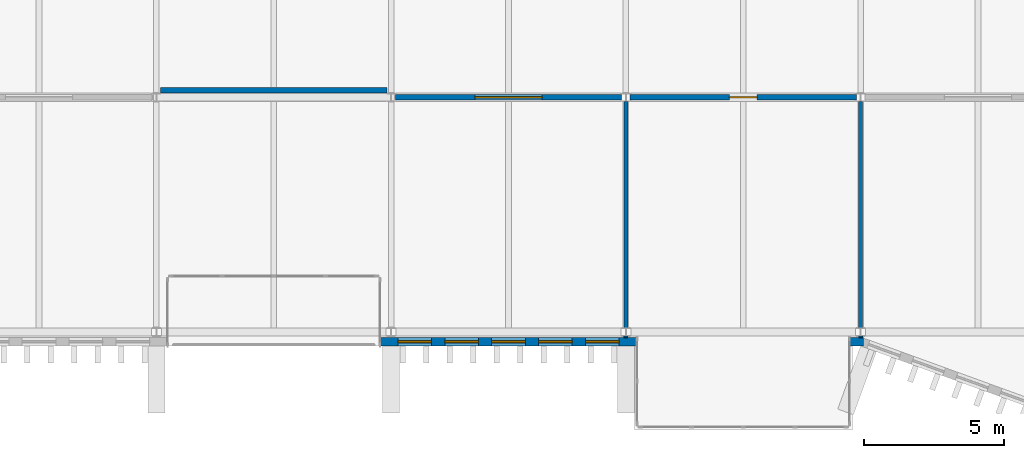
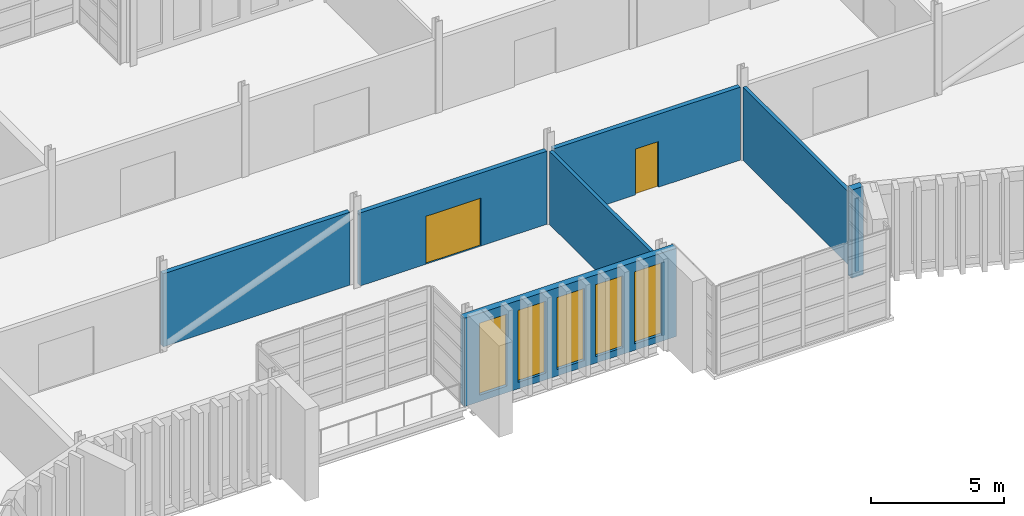
# One storey, part 63 of 100: 9 walls, 5 windows, 2 doors, 7 openings.
"""IFC4 building model written with IfcOpenShell, lengths in metres."""

from ifc_helpers import new_model, si_unit, direction, frame, frame_2d, origin, place, context, subcontext, project, spatial, rectangle, extrude, material, layer, layer_set, type_object, element, fill, save


model = new_model("IFC4")

# Units and contexts
model_context = context("Model", 3, precision=1e-05, world=origin(), true_north=direction((0.0, 1.0)))
body_context = subcontext(model_context, "Body", "Model", "MODEL_VIEW")
ifc_project = project(units=[si_unit("LENGTHUNIT", "METRE"), si_unit("AREAUNIT", "SQUARE_METRE"), si_unit("VOLUMEUNIT", "CUBIC_METRE"), si_unit("PLANEANGLEUNIT", "RADIAN"), si_unit("MASSUNIT", "GRAM", prefix="KILO")], contexts=[model_context])

# Site, building, storey
site_placement = place(None, origin())
site = spatial("IfcSite", under=ifc_project, at=site_placement, CompositionType="ELEMENT")
building_placement = place(site_placement, origin())
building = spatial("IfcBuilding", under=site, at=building_placement, Name="Cresset Court Congress Hotel", CompositionType="ELEMENT")
storey_placement = place(building_placement, frame((0.0, 0.0, 10.199951171875)))
storey = spatial("IfcBuildingStorey", under=building, at=storey_placement, Name="L02", CompositionType="ELEMENT", Elevation=10.199951171875)

# Wall, openings, windows
ifc_material_1 = material(Name="Concrete C40", Category="concrete")
ifc_layer_1 = layer(ifc_material_1, 0.300048828125)
ifc_layer_set_1 = layer_set([ifc_layer_1], Name="External wall 300 Concrete C40")
wall_type_1 = type_object("IfcWallType", Name="External wall 300 Concrete C40", PredefinedType="SOLIDWALL", material=ifc_layer_set_1)
wall_1_placement = place(storey_placement, frame((83.60009765625, -0.35009765625, 0.0), z_axis=(0.0, 0.0, 1.0), x_axis=(1.0, 0.0, 0.0)))
wall_1 = element("IfcWall", 1, at=wall_1_placement, inside=storey, type_object=wall_type_1, Name="External wall", PredefinedType="SOLIDWALL", context=body_context, shape_type="SweptSolid", body=[
    extrude(rectangle(XDim=9.199951171875, YDim=0.300048828125, at=frame_2d((4.60009765625, 0.0))), origin(), (0.0, 0.0, 1.0), 4.050048828125),
])
opening_1_placement = place(wall_1_placement, frame((0.639892578125, 0.0, 0.300048828125)))
opening_1 = element("IfcOpeningElement", 2, at=opening_1_placement, cuts=wall_1, Name="Opening NB-02-06", PredefinedType="OPENING", context=body_context, shape_type="SweptSolid", body=[
    extrude(rectangle(XDim=1.199951171875, YDim=3.300048828125, at=frame_2d((0.60009765625, 1.64990234375))), frame((0.0, 0.159912109375, 0.0), z_axis=(0.0, -1.0, 0.0), x_axis=(1.0, 0.0, 0.0)), (0.0, 0.0, 1.0), 0.320068359375),
])
opening_2_placement = place(wall_1_placement, frame((2.320068359375, 0.0, 0.300048828125)))
opening_2 = element("IfcOpeningElement", 3, at=opening_2_placement, cuts=wall_1, Name="Opening NB-02-07", PredefinedType="OPENING", context=body_context, shape_type="SweptSolid", body=[
    extrude(rectangle(XDim=1.199951171875, YDim=3.300048828125, at=frame_2d((0.60009765625, 1.64990234375))), frame((0.0, 0.159912109375, 0.0), z_axis=(0.0, -1.0, 0.0), x_axis=(1.0, 0.0, 0.0)), (0.0, 0.0, 1.0), 0.320068359375),
])
opening_3_placement = place(wall_1_placement, frame((4.0, 0.0, 0.300048828125)))
opening_3 = element("IfcOpeningElement", 4, at=opening_3_placement, cuts=wall_1, Name="Opening NB-02-08", PredefinedType="OPENING", context=body_context, shape_type="SweptSolid", body=[
    extrude(rectangle(XDim=1.199951171875, YDim=3.300048828125, at=frame_2d((0.60009765625, 1.64990234375))), frame((0.0, 0.159912109375, 0.0), z_axis=(0.0, -1.0, 0.0), x_axis=(1.0, 0.0, 0.0)), (0.0, 0.0, 1.0), 0.320068359375),
])
opening_4_placement = place(wall_1_placement, frame((5.679931640625, 0.0, 0.300048828125)))
opening_4 = element("IfcOpeningElement", 5, at=opening_4_placement, cuts=wall_1, Name="Opening NB-02-09", PredefinedType="OPENING", context=body_context, shape_type="SweptSolid", body=[
    extrude(rectangle(XDim=1.199951171875, YDim=3.300048828125, at=frame_2d((0.60009765625, 1.64990234375))), frame((0.0, 0.159912109375, 0.0), z_axis=(0.0, -1.0, 0.0), x_axis=(1.0, 0.0, 0.0)), (0.0, 0.0, 1.0), 0.320068359375),
])
opening_5_placement = place(wall_1_placement, frame((7.360107421875, 0.0, 0.300048828125)))
opening_5 = element("IfcOpeningElement", 6, at=opening_5_placement, cuts=wall_1, Name="Opening NB-02-10", PredefinedType="OPENING", context=body_context, shape_type="SweptSolid", body=[
    extrude(rectangle(XDim=1.199951171875, YDim=3.300048828125, at=frame_2d((0.60009765625, 1.64990234375))), frame((0.0, 0.159912109375, 0.0), z_axis=(0.0, -1.0, 0.0), x_axis=(1.0, 0.0, 0.0)), (0.0, 0.0, 1.0), 0.320068359375),
])
ifc_material_2 = material(Name="Aluminium frame with double glazing", Category="aluminium")
window_type = type_object("IfcWindowType", Name="Window 1200x3300", PartitioningType="TRIPLE_PANEL_VERTICAL", PredefinedType="WINDOW", material=ifc_material_2)
window_1_placement = place(opening_1_placement, origin())
window_1 = element("IfcWindow", 7, at=window_1_placement, inside=storey, type_object=window_type, Name="Window NB-02-06", OverallHeight=3.300048828125, OverallWidth=1.199951171875, PartitioningType="TRIPLE_PANEL_VERTICAL", PredefinedType="WINDOW", context=body_context, shape_type="SweptSolid", body=[
    extrude(rectangle(XDim=1.199951171875, YDim=3.300048828125, at=frame_2d((0.60009765625, 1.64990234375))), frame((0.0, 0.030029296875, 0.0), z_axis=(0.0, -1.0, 0.0), x_axis=(1.0, 0.0, 0.0)), (0.0, 0.0, 1.0), 0.06005859375),
])
fill(opening_1, window_1)
window_2_placement = place(opening_2_placement, origin())
window_2 = element("IfcWindow", 8, at=window_2_placement, inside=storey, type_object=window_type, Name="Window NB-02-07", OverallHeight=3.300048828125, OverallWidth=1.199951171875, PartitioningType="TRIPLE_PANEL_VERTICAL", PredefinedType="WINDOW", context=body_context, shape_type="SweptSolid", body=[
    extrude(rectangle(XDim=1.199951171875, YDim=3.300048828125, at=frame_2d((0.60009765625, 1.64990234375))), frame((0.0, 0.030029296875, 0.0), z_axis=(0.0, -1.0, 0.0), x_axis=(1.0, 0.0, 0.0)), (0.0, 0.0, 1.0), 0.06005859375),
])
fill(opening_2, window_2)
window_3_placement = place(opening_3_placement, origin())
window_3 = element("IfcWindow", 9, at=window_3_placement, inside=storey, type_object=window_type, Name="Window NB-02-08", OverallHeight=3.300048828125, OverallWidth=1.199951171875, PartitioningType="TRIPLE_PANEL_VERTICAL", PredefinedType="WINDOW", context=body_context, shape_type="SweptSolid", body=[
    extrude(rectangle(XDim=1.199951171875, YDim=3.300048828125, at=frame_2d((0.60009765625, 1.64990234375))), frame((0.0, 0.030029296875, 0.0), z_axis=(0.0, -1.0, 0.0), x_axis=(1.0, 0.0, 0.0)), (0.0, 0.0, 1.0), 0.06005859375),
])
fill(opening_3, window_3)
window_4_placement = place(opening_4_placement, origin())
window_4 = element("IfcWindow", 10, at=window_4_placement, inside=storey, type_object=window_type, Name="Window NB-02-09", OverallHeight=3.300048828125, OverallWidth=1.199951171875, PartitioningType="TRIPLE_PANEL_VERTICAL", PredefinedType="WINDOW", context=body_context, shape_type="SweptSolid", body=[
    extrude(rectangle(XDim=1.199951171875, YDim=3.300048828125, at=frame_2d((0.60009765625, 1.64990234375))), frame((0.0, 0.030029296875, 0.0), z_axis=(0.0, -1.0, 0.0), x_axis=(1.0, 0.0, 0.0)), (0.0, 0.0, 1.0), 0.06005859375),
])
fill(opening_4, window_4)
window_5_placement = place(opening_5_placement, origin())
window_5 = element("IfcWindow", 11, at=window_5_placement, inside=storey, type_object=window_type, Name="Window NB-02-10", OverallHeight=3.300048828125, OverallWidth=1.199951171875, PartitioningType="TRIPLE_PANEL_VERTICAL", PredefinedType="WINDOW", context=body_context, shape_type="SweptSolid", body=[
    extrude(rectangle(XDim=1.199951171875, YDim=3.300048828125, at=frame_2d((0.60009765625, 1.64990234375))), frame((0.0, 0.030029296875, 0.0), z_axis=(0.0, -1.0, 0.0), x_axis=(1.0, 0.0, 0.0)), (0.0, 0.0, 1.0), 0.06005859375),
])
fill(opening_5, window_5)

# Walls
wall_2_placement = place(storey_placement, frame((100.39990234375, -0.35009765625, 0.0), z_axis=(0.0, 0.0, 1.0), x_axis=(1.0, 0.0, 0.0)))
element("IfcWall", 12, at=wall_2_placement, inside=storey, type_object=wall_type_1, Name="External wall", PredefinedType="SOLIDWALL", context=body_context, shape_type="SweptSolid", body=[
    extrude(rectangle(XDim=0.5, YDim=0.300048828125, at=frame_2d((0.25, 0.0))), origin(), (0.0, 0.0, 1.0), 4.050048828125),
])
ifc_material_3 = material(Name="Gypsum board on steel studs", Category="steel")
ifc_layer_2 = layer(ifc_material_3, 0.199951171875)
ifc_layer_set_2 = layer_set([ifc_layer_2], Name="Foyer wall 200")
wall_type_2 = type_object("IfcWallType", Name="Foyer wall 200", PredefinedType="PARTITIONING", material=ifc_layer_set_2)
wall_3_placement = place(storey_placement, frame((75.75, 8.646484375, 0.0), z_axis=(0.0, 0.0, 1.0), x_axis=(1.0, 0.0, 0.0)))
element("IfcWall", 13, at=wall_3_placement, inside=storey, type_object=wall_type_2, Name="Foyer wall", PredefinedType="PARTITIONING", context=body_context, shape_type="SweptSolid", body=[
    extrude(rectangle(XDim=8.10009765625, YDim=0.199951171875, at=frame_2d((4.050048828125, 0.0))), origin(), (0.0, 0.0, 1.0), 3.35009765625),
])

# Wall, opening, door
wall_4_placement = place(storey_placement, frame((84.14990234375, 8.39990234375, 0.0), z_axis=(0.0, 0.0, 1.0), x_axis=(1.0, 0.0, 0.0)))
wall_4 = element("IfcWall", 14, at=wall_4_placement, inside=storey, type_object=wall_type_2, Name="Foyer wall", PredefinedType="PARTITIONING", context=body_context, shape_type="SweptSolid", body=[
    extrude(rectangle(XDim=8.10009765625, YDim=0.199951171875, at=frame_2d((4.050048828125, 0.0))), origin(), (0.0, 0.0, 1.0), 3.35009765625),
])
opening_6_placement = place(wall_4_placement, frame((2.85009765625, 0.0, 0.0)))
opening_6 = element("IfcOpeningElement", 15, at=opening_6_placement, cuts=wall_4, Name="Opening DB-02-08", PredefinedType="OPENING", context=body_context, shape_type="SweptSolid", body=[
    extrude(rectangle(XDim=2.39990234375, YDim=2.199951171875, at=frame_2d((1.199951171875, 1.10009765625))), frame((0.0, 0.10986328125, 0.0), z_axis=(0.0, -1.0, 0.0), x_axis=(1.0, 0.0, 0.0)), (0.0, 0.0, 1.0), 0.219970703125),
])
ifc_material_4 = material(Name="Timber and steel frame", Category="steel")
door_type_1 = type_object("IfcDoorType", Name="Fire door FD30 double 2400x2200", OperationType="DOUBLE_DOOR_SINGLE_SWING", PredefinedType="DOOR", material=ifc_material_4)
door_1_placement = place(opening_6_placement, origin())
door_1 = element("IfcDoor", 16, at=door_1_placement, inside=storey, type_object=door_type_1, Name="Meeting Room door", OperationType="DOUBLE_DOOR_SINGLE_SWING", OverallHeight=2.199951171875, OverallWidth=2.39990234375, PredefinedType="DOOR", context=body_context, shape_type="SweptSolid", body=[
    extrude(rectangle(XDim=2.39990234375, YDim=2.199951171875, at=frame_2d((1.199951171875, 1.10009765625))), frame((0.0, 0.02490234375, 0.0), z_axis=(0.0, -1.0, 0.0), x_axis=(1.0, 0.0, 0.0)), (0.0, 0.0, 1.0), 0.050048828125),
])
fill(opening_6, door_1)

wall_5_placement = place(storey_placement, frame((92.550048828125, 8.39990234375, 0.0), z_axis=(0.0, 0.0, 1.0), x_axis=(1.0, 0.0, 0.0)))
wall_5 = element("IfcWall", 17, at=wall_5_placement, inside=storey, type_object=wall_type_2, Name="Foyer wall", PredefinedType="PARTITIONING", context=body_context, shape_type="SweptSolid", body=[
    extrude(rectangle(XDim=8.099853515625, YDim=0.199951171875, at=frame_2d((4.0498046875, 0.0))), origin(), (0.0, 0.0, 1.0), 3.35009765625),
])
opening_7_placement = place(wall_5_placement, frame((3.550048828125, 0.0, 0.0)))
opening_7 = element("IfcOpeningElement", 18, at=opening_7_placement, cuts=wall_5, Name="Opening DB-02-09", PredefinedType="OPENING", context=body_context, shape_type="SweptSolid", body=[
    extrude(rectangle(XDim=1.0, YDim=2.10009765625, at=frame_2d((0.5, 1.050048828125))), frame((0.0, 0.10986328125, 0.0), z_axis=(0.0, -1.0, 0.0), x_axis=(1.0, 0.0, 0.0)), (0.0, 0.0, 1.0), 0.219970703125),
])
ifc_material_5 = material(Name="Timber and steel frame", Category="steel")
door_type_2 = type_object("IfcDoorType", Name="Fire door FD30 single 1000x2100", OperationType="SINGLE_SWING_LEFT", PredefinedType="DOOR", material=ifc_material_5)
door_2_placement = place(opening_7_placement, origin())
door_2 = element("IfcDoor", 19, at=door_2_placement, inside=storey, type_object=door_type_2, Name="Interpreter Room door", OperationType="SINGLE_SWING_LEFT", OverallHeight=2.10009765625, OverallWidth=1.0, PredefinedType="DOOR", context=body_context, shape_type="SweptSolid", body=[
    extrude(rectangle(XDim=1.0, YDim=2.10009765625, at=frame_2d((0.5, 1.050048828125))), frame((0.0, 0.02490234375, 0.0), z_axis=(0.0, -1.0, 0.0), x_axis=(1.0, 0.0, 0.0)), (0.0, 0.0, 1.0), 0.050048828125),
])
fill(opening_7, door_2)

# Walls
ifc_material_6 = material(Name="Gypsum board on steel studs", Category="steel")
ifc_layer_3 = layer(ifc_material_6, 0.14990234375)
ifc_layer_set_3 = layer_set([ifc_layer_3], Name="Partition 150")
wall_type_3 = type_object("IfcWallType", Name="Partition 150", PredefinedType="PARTITIONING", material=ifc_layer_set_3)
wall_6_placement = place(storey_placement, frame((92.39990234375, -0.199951171875, 0.0), z_axis=(0.0, 0.0, 1.0), x_axis=(0.0, 1.0, 0.0)))
element("IfcWall", 20, at=wall_6_placement, inside=storey, type_object=wall_type_3, Name="Partition", PredefinedType="PARTITIONING", context=body_context, shape_type="SweptSolid", body=[
    extrude(rectangle(XDim=0.050048828125, YDim=0.14990234375, at=frame_2d((0.02490234375, 0.0))), origin(), (0.0, 0.0, 1.0), 3.35009765625),
])
wall_7_placement = place(storey_placement, frame((92.39990234375, 0.14990234375, 0.0), z_axis=(0.0, 0.0, 1.0), x_axis=(0.0, 1.0, 0.0)))
element("IfcWall", 21, at=wall_7_placement, inside=storey, type_object=wall_type_3, Name="Partition", PredefinedType="PARTITIONING", context=body_context, shape_type="SweptSolid", body=[
    extrude(rectangle(XDim=8.10009765625, YDim=0.14990234375, at=frame_2d((4.050048828125, 0.0))), origin(), (0.0, 0.0, 1.0), 3.35009765625),
])
wall_8_placement = place(storey_placement, frame((100.800048828125, -0.199951171875, 0.0), z_axis=(0.0, 0.0, 1.0), x_axis=(0.0, 1.0, 0.0)))
element("IfcWall", 22, at=wall_8_placement, inside=storey, type_object=wall_type_3, Name="Partition", PredefinedType="PARTITIONING", context=body_context, shape_type="SweptSolid", body=[
    extrude(rectangle(XDim=0.050048828125, YDim=0.14990234375, at=frame_2d((0.02490234375, 0.0))), origin(), (0.0, 0.0, 1.0), 3.35009765625),
])
wall_9_placement = place(storey_placement, frame((100.800048828125, 0.14990234375, 0.0), z_axis=(0.0, 0.0, 1.0), x_axis=(0.0, 1.0, 0.0)))
element("IfcWall", 23, at=wall_9_placement, inside=storey, type_object=wall_type_3, Name="Partition", PredefinedType="PARTITIONING", context=body_context, shape_type="SweptSolid", body=[
    extrude(rectangle(XDim=8.10009765625, YDim=0.14990234375, at=frame_2d((4.050048828125, 0.0))), origin(), (0.0, 0.0, 1.0), 3.35009765625),
])

save(model, "model.ifc")
